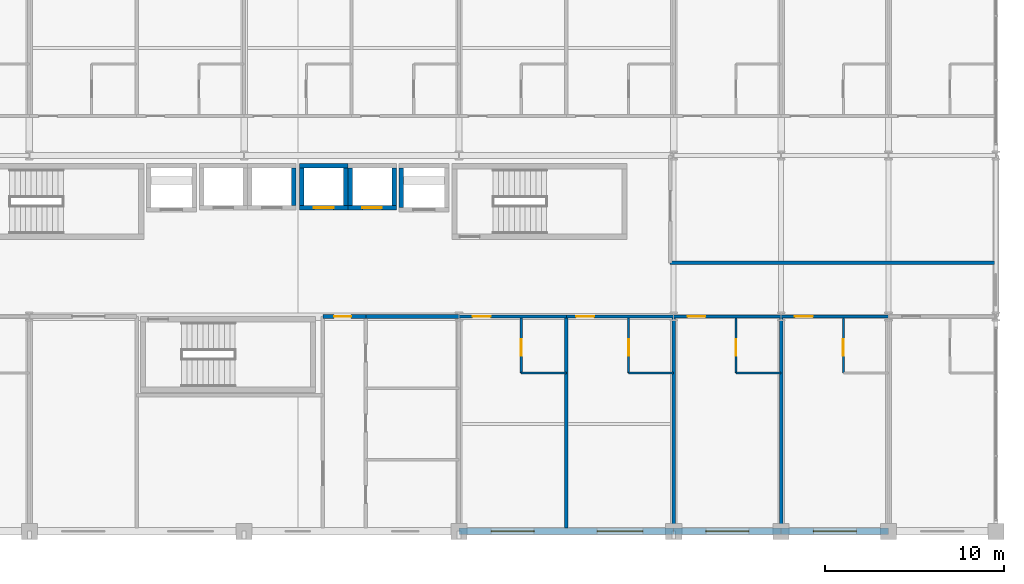
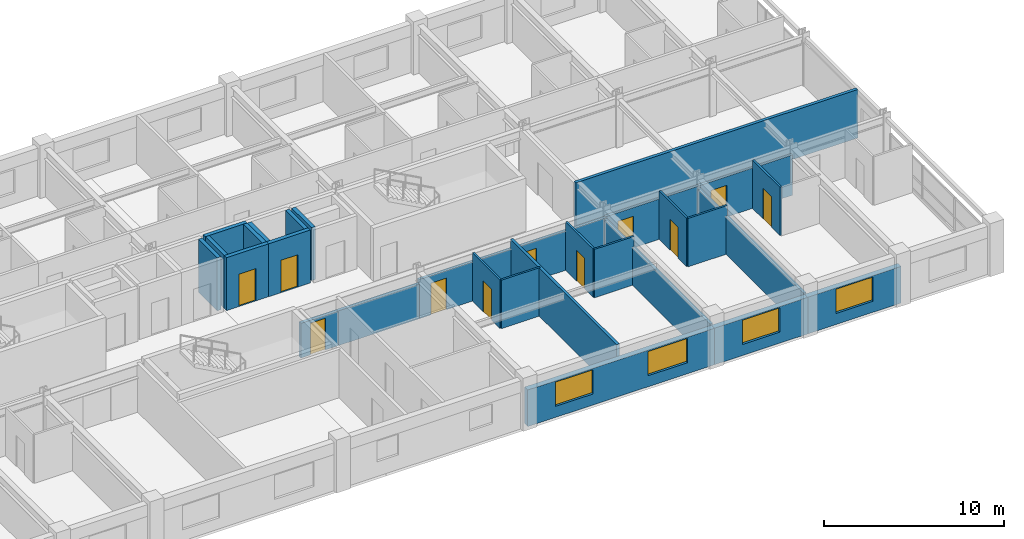
# One storey, part 18 of 22: 29 walls, 11 doors, 4 windows, 15 openings.
"""IFC4 building model written with IfcOpenShell, lengths in metres."""

from ifc_helpers import new_model, si_unit, direction, frame, frame_2d, origin, place, context, subcontext, project, spatial, rectangle, extrude, material, layer, layer_set, type_object, element, fill, save


model = new_model("IFC4")

# Units and contexts
model_context = context("Model", 3, precision=1e-05, world=origin(), true_north=direction((0.0, 1.0)))
body_context = subcontext(model_context, "Body", "Model", "MODEL_VIEW")
ifc_project = project(units=[si_unit("LENGTHUNIT", "METRE"), si_unit("AREAUNIT", "SQUARE_METRE"), si_unit("VOLUMEUNIT", "CUBIC_METRE"), si_unit("PLANEANGLEUNIT", "RADIAN"), si_unit("MASSUNIT", "GRAM", prefix="KILO")], contexts=[model_context])

# Site, building, storey
site_placement = place(None, origin())
site = spatial("IfcSite", under=ifc_project, at=site_placement, CompositionType="ELEMENT")
building_placement = place(site_placement, origin())
building = spatial("IfcBuilding", under=site, at=building_placement, Name="Kaldorvane Square Convention Centre", CompositionType="ELEMENT")
storey_placement = place(building_placement, frame((0.0, 0.0, 34.80000305175781)))
storey = spatial("IfcBuildingStorey", under=building, at=storey_placement, Name="L07", CompositionType="ELEMENT", Elevation=34.80000305175781)

# Wall, opening, door
ifc_material_1 = material(Name="Fire-Rated Gypsum Board on Acoustic Steel Studs", Category="steel")
ifc_layer_1 = layer(ifc_material_1, 0.125)
ifc_layer_set_1 = layer_set([ifc_layer_1], Name="Fire-Rated Gypsum Board on Acoustic Steel Studs")
wall_type_1 = type_object("IfcWallType", Name="WL-BATH-125", PredefinedType="PARTITIONING", material=ifc_layer_set_1)
wall_1_placement = place(storey_placement, frame((69.47999572753906, 92.85000610351562, 0.0), z_axis=(0.0, 0.0, 1.0), x_axis=(0.0, 1.0, 0.0)))
wall_1 = element("IfcWall", 1, at=wall_1_placement, inside=storey, type_object=wall_type_1, Name="En-Suite 716 West Wall", PredefinedType="PARTITIONING", context=body_context, shape_type="SweptSolid", body=[
    extrude(rectangle(XDim=3.05999755859375, YDim=0.125, at=frame_2d((1.529998779296875, 0.0))), origin(), (0.0, 0.0, 1.0), 3.2899932861328125),
])
opening_1_placement = place(wall_1_placement, frame((0.9499969482421875, 0.0, 0.0)))
opening_1 = element("IfcOpeningElement", 2, at=opening_1_placement, cuts=wall_1, Name="Opening ID-12", PredefinedType="OPENING", context=body_context, shape_type="SweptSolid", body=[
    extrude(rectangle(XDim=0.9199981689453125, YDim=2.100006103515625, at=frame_2d((0.459991455078125, 1.0500030517578125))), frame((0.0, 0.0774993896484375, 0.0), z_axis=(0.0, -1.0, 0.0), x_axis=(1.0, 0.0, 0.0)), (0.0, 0.0, 1.0), 0.154998779296875),
])
ifc_material_2 = material(Name="Architectural Solid-Core White Oak")
door_type_1 = type_object("IfcDoorType", Name="DR-BATH-0920X2100", OperationType="SINGLE_SWING_RIGHT", PredefinedType="DOOR", material=ifc_material_2)
door_1_placement = place(opening_1_placement, origin())
door_1 = element("IfcDoor", 3, at=door_1_placement, inside=storey, type_object=door_type_1, Name="En-Suite Bathroom 716 Door", OperationType="SINGLE_SWING_RIGHT", OverallHeight=2.100006103515625, OverallWidth=0.9199981689453125, PredefinedType="DOOR", context=body_context, shape_type="SweptSolid", body=[
    extrude(rectangle(XDim=0.9199981689453125, YDim=2.100006103515625, at=frame_2d((0.459991455078125, 1.0500030517578125))), frame((0.0, 0.024993896484375, 0.0), z_axis=(0.0, -1.0, 0.0), x_axis=(1.0, 0.0, 0.0)), (0.0, 0.0, 1.0), 0.0500030517578125),
])
fill(opening_1, door_1)

# Wall
wall_2_placement = place(storey_placement, frame((69.47999572753906, 92.85000610351562, 0.0), z_axis=(0.0, 0.0, 1.0), x_axis=(1.0, 0.0, 0.0)))
element("IfcWall", 4, at=wall_2_placement, inside=storey, type_object=wall_type_1, Name="En-Suite 716 South Wall", PredefinedType="PARTITIONING", context=body_context, shape_type="SweptSolid", body=[
    extrude(rectangle(XDim=2.5200042724609375, YDim=0.125, at=frame_2d((1.260009765625, 0.0))), origin(), (0.0, 0.0, 1.0), 3.2899932861328125),
])

# Wall, opening, door
wall_3_placement = place(storey_placement, frame((75.47999572753906, 92.85000610351562, 0.0), z_axis=(0.0, 0.0, 1.0), x_axis=(0.0, 1.0, 0.0)))
wall_3 = element("IfcWall", 5, at=wall_3_placement, inside=storey, type_object=wall_type_1, Name="En-Suite 717 West Wall", PredefinedType="PARTITIONING", context=body_context, shape_type="SweptSolid", body=[
    extrude(rectangle(XDim=3.05999755859375, YDim=0.125, at=frame_2d((1.529998779296875, 0.0))), origin(), (0.0, 0.0, 1.0), 3.2899932861328125),
])
opening_2_placement = place(wall_3_placement, frame((0.9499969482421875, 0.0, 0.0)))
opening_2 = element("IfcOpeningElement", 6, at=opening_2_placement, cuts=wall_3, Name="Opening ID-12", PredefinedType="OPENING", context=body_context, shape_type="SweptSolid", body=[
    extrude(rectangle(XDim=0.9199981689453125, YDim=2.100006103515625, at=frame_2d((0.459991455078125, 1.0500030517578125))), frame((0.0, 0.0774993896484375, 0.0), z_axis=(0.0, -1.0, 0.0), x_axis=(1.0, 0.0, 0.0)), (0.0, 0.0, 1.0), 0.154998779296875),
])
door_2_placement = place(opening_2_placement, origin())
door_2 = element("IfcDoor", 7, at=door_2_placement, inside=storey, type_object=door_type_1, Name="En-Suite Bathroom 717 Door", OperationType="SINGLE_SWING_RIGHT", OverallHeight=2.100006103515625, OverallWidth=0.9199981689453125, PredefinedType="DOOR", context=body_context, shape_type="SweptSolid", body=[
    extrude(rectangle(XDim=0.9199981689453125, YDim=2.100006103515625, at=frame_2d((0.459991455078125, 1.0500030517578125))), frame((0.0, 0.024993896484375, 0.0), z_axis=(0.0, -1.0, 0.0), x_axis=(1.0, 0.0, 0.0)), (0.0, 0.0, 1.0), 0.0500030517578125),
])
fill(opening_2, door_2)

# Wall
wall_4_placement = place(storey_placement, frame((75.47999572753906, 92.85000610351562, 0.0), z_axis=(0.0, 0.0, 1.0), x_axis=(1.0, 0.0, 0.0)))
element("IfcWall", 8, at=wall_4_placement, inside=storey, type_object=wall_type_1, Name="En-Suite 717 South Wall", PredefinedType="PARTITIONING", context=body_context, shape_type="SweptSolid", body=[
    extrude(rectangle(XDim=2.5200042724609375, YDim=0.125, at=frame_2d((1.260009765625, 0.0))), origin(), (0.0, 0.0, 1.0), 3.2899932861328125),
])

# Wall, opening, door
wall_5_placement = place(storey_placement, frame((81.47999572753906, 92.85000610351562, 0.0), z_axis=(0.0, 0.0, 1.0), x_axis=(0.0, 1.0, 0.0)))
wall_5 = element("IfcWall", 9, at=wall_5_placement, inside=storey, type_object=wall_type_1, Name="En-Suite 718 West Wall", PredefinedType="PARTITIONING", context=body_context, shape_type="SweptSolid", body=[
    extrude(rectangle(XDim=3.05999755859375, YDim=0.125, at=frame_2d((1.529998779296875, 0.0))), origin(), (0.0, 0.0, 1.0), 3.2899932861328125),
])
opening_3_placement = place(wall_5_placement, frame((0.9499969482421875, 0.0, 0.0)))
opening_3 = element("IfcOpeningElement", 10, at=opening_3_placement, cuts=wall_5, Name="Opening ID-12", PredefinedType="OPENING", context=body_context, shape_type="SweptSolid", body=[
    extrude(rectangle(XDim=0.9199981689453125, YDim=2.100006103515625, at=frame_2d((0.459991455078125, 1.0500030517578125))), frame((0.0, 0.0774993896484375, 0.0), z_axis=(0.0, -1.0, 0.0), x_axis=(1.0, 0.0, 0.0)), (0.0, 0.0, 1.0), 0.154998779296875),
])
door_3_placement = place(opening_3_placement, origin())
door_3 = element("IfcDoor", 11, at=door_3_placement, inside=storey, type_object=door_type_1, Name="En-Suite Bathroom 718 Door", OperationType="SINGLE_SWING_RIGHT", OverallHeight=2.100006103515625, OverallWidth=0.9199981689453125, PredefinedType="DOOR", context=body_context, shape_type="SweptSolid", body=[
    extrude(rectangle(XDim=0.9199981689453125, YDim=2.100006103515625, at=frame_2d((0.459991455078125, 1.0500030517578125))), frame((0.0, 0.024993896484375, 0.0), z_axis=(0.0, -1.0, 0.0), x_axis=(1.0, 0.0, 0.0)), (0.0, 0.0, 1.0), 0.0500030517578125),
])
fill(opening_3, door_3)

# Wall
wall_6_placement = place(storey_placement, frame((81.47999572753906, 92.85000610351562, 0.0), z_axis=(0.0, 0.0, 1.0), x_axis=(1.0, 0.0, 0.0)))
element("IfcWall", 12, at=wall_6_placement, inside=storey, type_object=wall_type_1, Name="En-Suite 718 South Wall", PredefinedType="PARTITIONING", context=body_context, shape_type="SweptSolid", body=[
    extrude(rectangle(XDim=2.5200042724609375, YDim=0.125, at=frame_2d((1.260009765625, 0.0))), origin(), (0.0, 0.0, 1.0), 3.2899932861328125),
])

# Wall, opening, door
wall_7_placement = place(storey_placement, frame((87.47999572753906, 92.85000610351562, 0.0), z_axis=(0.0, 0.0, 1.0), x_axis=(0.0, 1.0, 0.0)))
wall_7 = element("IfcWall", 13, at=wall_7_placement, inside=storey, type_object=wall_type_1, Name="En-Suite 719 West Wall", PredefinedType="PARTITIONING", context=body_context, shape_type="SweptSolid", body=[
    extrude(rectangle(XDim=3.05999755859375, YDim=0.125, at=frame_2d((1.529998779296875, 0.0))), origin(), (0.0, 0.0, 1.0), 3.2899932861328125),
])
opening_4_placement = place(wall_7_placement, frame((0.9499969482421875, 0.0, 0.0)))
opening_4 = element("IfcOpeningElement", 14, at=opening_4_placement, cuts=wall_7, Name="Opening ID-12", PredefinedType="OPENING", context=body_context, shape_type="SweptSolid", body=[
    extrude(rectangle(XDim=0.9199981689453125, YDim=2.100006103515625, at=frame_2d((0.459991455078125, 1.0500030517578125))), frame((0.0, 0.0774993896484375, 0.0), z_axis=(0.0, -1.0, 0.0), x_axis=(1.0, 0.0, 0.0)), (0.0, 0.0, 1.0), 0.154998779296875),
])
door_4_placement = place(opening_4_placement, origin())
door_4 = element("IfcDoor", 15, at=door_4_placement, inside=storey, type_object=door_type_1, Name="En-Suite Bathroom 719 Door", OperationType="SINGLE_SWING_RIGHT", OverallHeight=2.100006103515625, OverallWidth=0.9199981689453125, PredefinedType="DOOR", context=body_context, shape_type="SweptSolid", body=[
    extrude(rectangle(XDim=0.9199981689453125, YDim=2.100006103515625, at=frame_2d((0.459991455078125, 1.0500030517578125))), frame((0.0, 0.024993896484375, 0.0), z_axis=(0.0, -1.0, 0.0), x_axis=(1.0, 0.0, 0.0)), (0.0, 0.0, 1.0), 0.0500030517578125),
])
fill(opening_4, door_4)

ifc_layer_2 = layer(ifc_material_1, 0.1999969482421875)
ifc_layer_set_2 = layer_set([ifc_layer_2], Name="Fire-Rated Gypsum Board on Acoustic Steel Studs")
wall_type_2 = type_object("IfcWallType", Name="WL-CORR-200", PredefinedType="PARTITIONING", material=ifc_layer_set_2)
wall_8_placement = place(storey_placement, frame((58.399993896484375, 96.0, 0.0), z_axis=(0.0, 0.0, 1.0), x_axis=(1.0, 0.0, 0.0)))
wall_8 = element("IfcWall", 16, at=wall_8_placement, inside=storey, type_object=wall_type_2, Name="Restroom Vestibule Entry Header (L07)", PredefinedType="PARTITIONING", context=body_context, shape_type="SweptSolid", body=[
    extrude(rectangle(XDim=2.4000091552734375, YDim=0.1999969482421875, at=frame_2d((1.20001220703125, 0.0))), origin(), (0.0, 0.0, 1.0), 2.3589935302734375),
])
opening_5_placement = place(wall_8_placement, frame((0.625, 0.0, 0.0)))
opening_5 = element("IfcOpeningElement", 17, at=opening_5_placement, cuts=wall_8, Name="Opening ID-13", PredefinedType="OPENING", context=body_context, shape_type="SweptSolid", body=[
    extrude(rectangle(XDim=0.9499969482421875, YDim=2.149993896484375, at=frame_2d((0.475006103515625, 1.0749969482421875))), frame((0.0, 0.114990234375, 0.0), z_axis=(0.0, -1.0, 0.0), x_axis=(1.0, 0.0, 0.0)), (0.0, 0.0, 1.0), 0.2299957275390625),
])
door_type_2 = type_object("IfcDoorType", Name="DR-WC-0950X2150", OperationType="SINGLE_SWING_LEFT", PredefinedType="DOOR", material=ifc_material_2)
door_5_placement = place(opening_5_placement, origin())
door_5 = element("IfcDoor", 18, at=door_5_placement, inside=storey, type_object=door_type_2, Name="Restroom Vestibule Door (L07)", OperationType="SINGLE_SWING_LEFT", OverallHeight=2.149993896484375, OverallWidth=0.9499969482421875, PredefinedType="DOOR", context=body_context, shape_type="SweptSolid", body=[
    extrude(rectangle(XDim=0.9499969482421875, YDim=2.149993896484375, at=frame_2d((0.475006103515625, 1.0749969482421875))), frame((0.0, 0.024993896484375, 0.0), z_axis=(0.0, -1.0, 0.0), x_axis=(1.0, 0.0, 0.0)), (0.0, 0.0, 1.0), 0.0500030517578125),
])
fill(opening_5, door_5)

# Walls
wall_9_placement = place(storey_placement, frame((60.80000305175781, 96.0, 0.0), z_axis=(0.0, 0.0, 1.0), x_axis=(1.0, 0.0, 0.0)))
element("IfcWall", 19, at=wall_9_placement, inside=storey, type_object=wall_type_2, Name="Restroom North Wall (L07)", PredefinedType="PARTITIONING", context=body_context, shape_type="SweptSolid", body=[
    extrude(rectangle(XDim=5.1999969482421875, YDim=0.1999969482421875, at=frame_2d((2.600006103515625, 0.0))), origin(), (0.0, 0.0, 1.0), 2.3589935302734375),
])
wall_10_placement = place(storey_placement, frame((77.80000305175781, 99.0, 0.0), z_axis=(0.0, 0.0, 1.0), x_axis=(1.0, 0.0, 0.0)))
element("IfcWall", 20, at=wall_10_placement, inside=storey, type_object=wall_type_2, Name="East Square View Lounge (L07) S Wall", PredefinedType="PARTITIONING", context=body_context, shape_type="SweptSolid", body=[
    extrude(rectangle(XDim=18.114990234375, YDim=0.1999969482421875, at=frame_2d((9.0574951171875, 0.0))), origin(), (0.0, 0.0, 1.0), 3.2899932861328125),
])

# Wall, openings, windows
ifc_material_3 = material(Name="Concrete f'c = 42 MPa (Normalweight)", Category="concrete")
ifc_layer_3 = layer(ifc_material_3, 0.350006103515625)
ifc_layer_set_3 = layer_set([ifc_layer_3], Name="Concrete f'c = 42 MPa (Normalweight)")
wall_type_3 = type_object("IfcWallType", Name="WL-EXT-350", PredefinedType="STANDARD", material=ifc_layer_set_3)
wall_11_placement = place(storey_placement, frame((66.0, 84.0, 0.0), z_axis=(0.0, 0.0, 1.0), x_axis=(1.0, 0.0, 0.0)))
wall_11 = element("IfcWall", 21, at=wall_11_placement, inside=storey, type_object=wall_type_3, Name="Hotel S Brutalist Facade Wall (L07)", PredefinedType="STANDARD", context=body_context, shape_type="SweptSolid", body=[
    extrude(rectangle(XDim=12.0, YDim=0.350006103515625, at=frame_2d((6.0, 0.0))), origin(), (0.0, 0.0, 1.0), 2.485992431640625),
])
opening_6_placement = place(wall_11_placement, frame((1.8000030517578125, 0.0, 0.75)))
opening_6 = element("IfcOpeningElement", 22, at=opening_6_placement, cuts=wall_11, Name="Opening W-01", PredefinedType="OPENING", context=body_context, shape_type="SweptSolid", body=[
    extrude(rectangle(XDim=2.399993896484375, YDim=1.649993896484375, at=frame_2d((1.1999969482421875, 0.8249969482421875))), frame((0.0, 0.19000244140625, 0.0), z_axis=(0.0, -1.0, 0.0), x_axis=(1.0, 0.0, 0.0)), (0.0, 0.0, 1.0), 0.3800048828125),
])
opening_7_placement = place(wall_11_placement, frame((7.725006103515625, 0.0, 0.75)))
opening_7 = element("IfcOpeningElement", 23, at=opening_7_placement, cuts=wall_11, Name="Opening W-02", PredefinedType="OPENING", context=body_context, shape_type="SweptSolid", body=[
    extrude(rectangle(XDim=2.5500030517578125, YDim=1.649993896484375, at=frame_2d((1.274993896484375, 0.8249969482421875))), frame((0.0, 0.19000244140625, 0.0), z_axis=(0.0, -1.0, 0.0), x_axis=(1.0, 0.0, 0.0)), (0.0, 0.0, 1.0), 0.3800048828125),
])
ifc_material_4 = material(Name="Anodized Aluminum and Low-E Insulated Glazing", Category="aluminium")
window_type_1 = type_object("IfcWindowType", Name="WN-HTL-2400X1650", PartitioningType="DOUBLE_PANEL_VERTICAL", PredefinedType="WINDOW", material=ifc_material_4)
window_1_placement = place(opening_6_placement, origin())
window_1 = element("IfcWindow", 24, at=window_1_placement, inside=storey, type_object=window_type_1, Name="Hotel S Window (L07)", OverallHeight=1.649993896484375, OverallWidth=2.399993896484375, PartitioningType="DOUBLE_PANEL_VERTICAL", PredefinedType="WINDOW", context=body_context, shape_type="SweptSolid", body=[
    extrude(rectangle(XDim=2.399993896484375, YDim=1.649993896484375, at=frame_2d((1.1999969482421875, 0.8249969482421875))), frame((0.0, 0.029998779296875, 0.0), z_axis=(0.0, -1.0, 0.0), x_axis=(1.0, 0.0, 0.0)), (0.0, 0.0, 1.0), 0.05999755859375),
])
fill(opening_6, window_1)
window_type_2 = type_object("IfcWindowType", Name="WN-HTL-2550X1650", PartitioningType="DOUBLE_PANEL_VERTICAL", PredefinedType="WINDOW", material=ifc_material_4)
window_2_placement = place(opening_7_placement, origin())
window_2 = element("IfcWindow", 25, at=window_2_placement, inside=storey, type_object=window_type_2, Name="Hotel S Window (L07)", OverallHeight=1.649993896484375, OverallWidth=2.5500030517578125, PartitioningType="DOUBLE_PANEL_VERTICAL", PredefinedType="WINDOW", context=body_context, shape_type="SweptSolid", body=[
    extrude(rectangle(XDim=2.5500030517578125, YDim=1.649993896484375, at=frame_2d((1.274993896484375, 0.8249969482421875))), frame((0.0, 0.029998779296875, 0.0), z_axis=(0.0, -1.0, 0.0), x_axis=(1.0, 0.0, 0.0)), (0.0, 0.0, 1.0), 0.05999755859375),
])
fill(opening_7, window_2)

# Wall, opening, window
wall_12_placement = place(storey_placement, frame((78.0, 84.0, 0.0), z_axis=(0.0, 0.0, 1.0), x_axis=(1.0, 0.0, 0.0)))
wall_12 = element("IfcWall", 26, at=wall_12_placement, inside=storey, type_object=wall_type_3, Name="Hotel S Brutalist Facade Wall (L07)", PredefinedType="STANDARD", context=body_context, shape_type="SweptSolid", body=[
    extrude(rectangle(XDim=6.0, YDim=0.350006103515625, at=frame_2d((3.0, 0.0))), origin(), (0.0, 0.0, 1.0), 2.485992431640625),
])
opening_8_placement = place(wall_12_placement, frame((1.8000030517578125, 0.0, 0.75)))
opening_8 = element("IfcOpeningElement", 27, at=opening_8_placement, cuts=wall_12, Name="Opening W-01", PredefinedType="OPENING", context=body_context, shape_type="SweptSolid", body=[
    extrude(rectangle(XDim=2.399993896484375, YDim=1.649993896484375, at=frame_2d((1.1999969482421875, 0.8249969482421875))), frame((0.0, 0.19000244140625, 0.0), z_axis=(0.0, -1.0, 0.0), x_axis=(1.0, 0.0, 0.0)), (0.0, 0.0, 1.0), 0.3800048828125),
])
window_3_placement = place(opening_8_placement, origin())
window_3 = element("IfcWindow", 28, at=window_3_placement, inside=storey, type_object=window_type_1, Name="Hotel S Window (L07)", OverallHeight=1.649993896484375, OverallWidth=2.399993896484375, PartitioningType="DOUBLE_PANEL_VERTICAL", PredefinedType="WINDOW", context=body_context, shape_type="SweptSolid", body=[
    extrude(rectangle(XDim=2.399993896484375, YDim=1.649993896484375, at=frame_2d((1.1999969482421875, 0.8249969482421875))), frame((0.0, 0.029998779296875, 0.0), z_axis=(0.0, -1.0, 0.0), x_axis=(1.0, 0.0, 0.0)), (0.0, 0.0, 1.0), 0.05999755859375),
])
fill(opening_8, window_3)

wall_13_placement = place(storey_placement, frame((84.0, 84.0, 0.0), z_axis=(0.0, 0.0, 1.0), x_axis=(1.0, 0.0, 0.0)))
wall_13 = element("IfcWall", 29, at=wall_13_placement, inside=storey, type_object=wall_type_3, Name="Hotel S Brutalist Facade Wall (L07)", PredefinedType="STANDARD", context=body_context, shape_type="SweptSolid", body=[
    extrude(rectangle(XDim=6.0, YDim=0.350006103515625, at=frame_2d((3.0, 0.0))), origin(), (0.0, 0.0, 1.0), 2.485992431640625),
])
opening_9_placement = place(wall_13_placement, frame((1.8000030517578125, 0.0, 0.75)))
opening_9 = element("IfcOpeningElement", 30, at=opening_9_placement, cuts=wall_13, Name="Opening W-01", PredefinedType="OPENING", context=body_context, shape_type="SweptSolid", body=[
    extrude(rectangle(XDim=2.399993896484375, YDim=1.649993896484375, at=frame_2d((1.1999969482421875, 0.8249969482421875))), frame((0.0, 0.19000244140625, 0.0), z_axis=(0.0, -1.0, 0.0), x_axis=(1.0, 0.0, 0.0)), (0.0, 0.0, 1.0), 0.3800048828125),
])
window_4_placement = place(opening_9_placement, origin())
window_4 = element("IfcWindow", 31, at=window_4_placement, inside=storey, type_object=window_type_1, Name="Hotel S Window (L07)", OverallHeight=1.649993896484375, OverallWidth=2.399993896484375, PartitioningType="DOUBLE_PANEL_VERTICAL", PredefinedType="WINDOW", context=body_context, shape_type="SweptSolid", body=[
    extrude(rectangle(XDim=2.399993896484375, YDim=1.649993896484375, at=frame_2d((1.1999969482421875, 0.8249969482421875))), frame((0.0, 0.029998779296875, 0.0), z_axis=(0.0, -1.0, 0.0), x_axis=(1.0, 0.0, 0.0)), (0.0, 0.0, 1.0), 0.05999755859375),
])
fill(opening_9, window_4)

# Walls
ifc_material_5 = material(Name="Concrete f'c = 55 MPa (Normalweight)", Category="concrete")
ifc_layer_4 = layer(ifc_material_5, 0.3000030517578125)
ifc_layer_set_4 = layer_set([ifc_layer_4], Name="Concrete f'c = 55 MPa (Normalweight)")
wall_type_4 = type_object("IfcWallType", Name="WL-SHAFT-300", PredefinedType="SHEAR", material=ifc_layer_set_4)
wall_14_placement = place(storey_placement, frame((62.774993896484375, 104.30000305175781, 0.0), z_axis=(0.0, 0.0, 1.0), x_axis=(0.0, -1.0, 0.0)))
element("IfcWall", 32, at=wall_14_placement, inside=storey, type_object=wall_type_4, Name="Core Enclosure Wall lift:FSAE-02-W (L07)", PredefinedType="SHEAR", context=body_context, shape_type="SweptSolid", body=[
    extrude(rectangle(XDim=2.1999969482421875, YDim=0.25, at=frame_2d((1.100006103515625, 0.0))), origin(), (0.0, 0.0, 1.0), 3.5999908447265625),
])
wall_15_placement = place(storey_placement, frame((56.774993896484375, 102.19999694824219, 0.0), z_axis=(0.0, 0.0, 1.0), x_axis=(0.0, 1.0, 0.0)))
element("IfcWall", 33, at=wall_15_placement, inside=storey, type_object=wall_type_4, Name="Core Enclosure Wall lift:EL-P2-E (L07)", PredefinedType="SHEAR", context=body_context, shape_type="SweptSolid", body=[
    extrude(rectangle(XDim=2.100006103515625, YDim=0.25, at=frame_2d((1.0500030517578125, 0.0))), origin(), (0.0, 0.0, 1.0), 3.5999908447265625),
])

# Wall, opening, door
wall_16_placement = place(storey_placement, frame((57.100006103515625, 102.07499694824219, 0.0), z_axis=(0.0, 0.0, 1.0), x_axis=(1.0, 0.0, 0.0)))
wall_16 = element("IfcWall", 34, at=wall_16_placement, inside=storey, type_object=wall_type_4, Name="Core Enclosure Wall lift:EL-P3-S (L07)", PredefinedType="SHEAR", context=body_context, shape_type="SweptSolid", body=[
    extrude(rectangle(XDim=2.6999969482421875, YDim=0.25, at=frame_2d((1.350006103515625, 0.0))), origin(), (0.0, 0.0, 1.0), 3.5999908447265625),
])
opening_10_placement = place(wall_16_placement, frame((0.8000030517578125, 0.0, 0.0)))
opening_10 = element("IfcOpeningElement", 35, at=opening_10_placement, cuts=wall_16, Name="Opening LD-01", PredefinedType="OPENING", context=body_context, shape_type="SweptSolid", body=[
    extrude(rectangle(XDim=1.100006103515625, YDim=2.1999969482421875, at=frame_2d((0.5500030517578125, 1.100006103515625))), frame((0.0, 0.1399993896484375, 0.0), z_axis=(0.0, -1.0, 0.0), x_axis=(1.0, 0.0, 0.0)), (0.0, 0.0, 1.0), 0.279998779296875),
])
ifc_material_6 = material(Name="Stainless Steel Elevator Door Assembly", Category="steel")
door_type_3 = type_object("IfcDoorType", Name="DR-LIFT-1100", OperationType="DOUBLE_DOOR_SLIDING", PredefinedType="DOOR", material=ifc_material_6)
door_6_placement = place(opening_10_placement, origin())
door_6 = element("IfcDoor", 36, at=door_6_placement, inside=storey, type_object=door_type_3, Name="Elevator Landing Door EL-P3 (L07)", OperationType="DOUBLE_DOOR_SLIDING", OverallHeight=2.1999969482421875, OverallWidth=1.100006103515625, PredefinedType="DOOR", context=body_context, shape_type="SweptSolid", body=[
    extrude(rectangle(XDim=1.100006103515625, YDim=2.1999969482421875, at=frame_2d((0.5500030517578125, 1.100006103515625))), frame((0.0, 0.024993896484375, 0.0), z_axis=(0.0, -1.0, 0.0), x_axis=(1.0, 0.0, 0.0)), (0.0, 0.0, 1.0), 0.0500030517578125),
])
fill(opening_10, door_6)

# Walls
wall_17_placement = place(storey_placement, frame((59.80000305175781, 104.42500305175781, 0.0), z_axis=(0.0, 0.0, 1.0), x_axis=(-1.0, 0.0, 0.0)))
element("IfcWall", 37, at=wall_17_placement, inside=storey, type_object=wall_type_4, Name="Core Enclosure Wall lift:EL-P3-N (L07)", PredefinedType="SHEAR", context=body_context, shape_type="SweptSolid", body=[
    extrude(rectangle(XDim=2.6999969482421875, YDim=0.25, at=frame_2d((1.350006103515625, 0.0))), origin(), (0.0, 0.0, 1.0), 3.5999908447265625),
])
for number, where, z_axis, x_axis, name in (
    (38, (57.225006103515625, 104.30000305175781, 0.0), (0.0, 0.0, 1.0), (0.0, -1.0, 0.0), "Core Enclosure Wall lift:EL-P3-W (L07)"),
    (39, (59.67500305175781, 102.19999694824219, 0.0), (0.0, 0.0, 1.0), (0.0, 1.0, 0.0), "Core Enclosure Wall lift:EL-P3-E (L07)"),
):
    element("IfcWall", number, at=place(storey_placement, frame(where, z_axis=z_axis, x_axis=x_axis)), inside=storey, type_object=wall_type_4, Name=name, PredefinedType="SHEAR", context=body_context, shape_type="SweptSolid", body=[
        extrude(rectangle(XDim=2.100006103515625, YDim=0.25, at=frame_2d((1.0500030517578125, 0.0))), origin(), (0.0, 0.0, 1.0), 3.5999908447265625),
    ])

# Wall, opening, door
wall_18_placement = place(storey_placement, frame((59.80000305175781, 102.07499694824219, 0.0), z_axis=(0.0, 0.0, 1.0), x_axis=(1.0, 0.0, 0.0)))
wall_18 = element("IfcWall", 40, at=wall_18_placement, inside=storey, type_object=wall_type_4, Name="Core Enclosure Wall lift:EL-P4-S (L07)", PredefinedType="SHEAR", context=body_context, shape_type="SweptSolid", body=[
    extrude(rectangle(XDim=2.6999969482421875, YDim=0.25, at=frame_2d((1.350006103515625, 0.0))), origin(), (0.0, 0.0, 1.0), 3.5999908447265625),
])
opening_11_placement = place(wall_18_placement, frame((0.8000030517578125, 0.0, 0.0)))
opening_11 = element("IfcOpeningElement", 41, at=opening_11_placement, cuts=wall_18, Name="Opening LD-01", PredefinedType="OPENING", context=body_context, shape_type="SweptSolid", body=[
    extrude(rectangle(XDim=1.100006103515625, YDim=2.1999969482421875, at=frame_2d((0.5500030517578125, 1.100006103515625))), frame((0.0, 0.1399993896484375, 0.0), z_axis=(0.0, -1.0, 0.0), x_axis=(1.0, 0.0, 0.0)), (0.0, 0.0, 1.0), 0.279998779296875),
])
door_7_placement = place(opening_11_placement, origin())
door_7 = element("IfcDoor", 42, at=door_7_placement, inside=storey, type_object=door_type_3, Name="Elevator Landing Door EL-P4 (L07)", OperationType="DOUBLE_DOOR_SLIDING", OverallHeight=2.1999969482421875, OverallWidth=1.100006103515625, PredefinedType="DOOR", context=body_context, shape_type="SweptSolid", body=[
    extrude(rectangle(XDim=1.100006103515625, YDim=2.1999969482421875, at=frame_2d((0.5500030517578125, 1.100006103515625))), frame((0.0, 0.024993896484375, 0.0), z_axis=(0.0, -1.0, 0.0), x_axis=(1.0, 0.0, 0.0)), (0.0, 0.0, 1.0), 0.0500030517578125),
])
fill(opening_11, door_7)

# Walls
for number, where, z_axis, x_axis, name in (
    (43, (59.92500305175781, 104.30000305175781, 0.0), (0.0, 0.0, 1.0), (0.0, -1.0, 0.0), "Core Enclosure Wall lift:EL-P4-W (L07)"),
    (44, (62.375, 102.19999694824219, 0.0), (0.0, 0.0, 1.0), (0.0, 1.0, 0.0), "Core Enclosure Wall lift:EL-P4-E (L07)"),
):
    element("IfcWall", number, at=place(storey_placement, frame(where, z_axis=z_axis, x_axis=x_axis)), inside=storey, type_object=wall_type_4, Name=name, PredefinedType="SHEAR", context=body_context, shape_type="SweptSolid", body=[
        extrude(rectangle(XDim=2.100006103515625, YDim=0.25, at=frame_2d((1.0500030517578125, 0.0))), origin(), (0.0, 0.0, 1.0), 3.5999908447265625),
    ])

# Wall, opening, door
ifc_layer_5 = layer(ifc_material_1, 0.17999267578125)
ifc_layer_set_5 = layer_set([ifc_layer_5], Name="Fire-Rated Gypsum Board on Acoustic Steel Studs")
wall_type_5 = type_object("IfcWallType", Name="WL-UNIT-180", PredefinedType="PARTITIONING", material=ifc_layer_set_5)
wall_19_placement = place(storey_placement, frame((66.0, 96.0, 0.0), z_axis=(0.0, 0.0, 1.0), x_axis=(1.0, 0.0, 0.0)))
wall_19 = element("IfcWall", 45, at=wall_19_placement, inside=storey, type_object=wall_type_5, Name="Hotel Guest Room 716 Corridor Wall", PredefinedType="PARTITIONING", context=body_context, shape_type="SweptSolid", body=[
    extrude(rectangle(XDim=6.0, YDim=0.17999267578125, at=frame_2d((3.0, 0.0))), origin(), (0.0, 0.0, 1.0), 2.66400146484375),
])
opening_12_placement = place(wall_19_placement, frame((0.7700042724609375, 0.0, 0.0)))
opening_12 = element("IfcOpeningElement", 46, at=opening_12_placement, cuts=wall_19, Name="Opening ID-10", PredefinedType="OPENING", context=body_context, shape_type="SweptSolid", body=[
    extrude(rectangle(XDim=1.0, YDim=2.149993896484375, at=frame_2d((0.5, 1.0749969482421875))), frame((0.0, 0.1049957275390625, 0.0), z_axis=(0.0, -1.0, 0.0), x_axis=(1.0, 0.0, 0.0)), (0.0, 0.0, 1.0), 0.209991455078125),
])
door_type_4 = type_object("IfcDoorType", Name="DR-GUEST-1000X2150", OperationType="SINGLE_SWING_LEFT", PredefinedType="DOOR", material=ifc_material_2)
door_8_placement = place(opening_12_placement, origin())
door_8 = element("IfcDoor", 47, at=door_8_placement, inside=storey, type_object=door_type_4, Name="Hotel Guest Room 716 Entry Door", OperationType="SINGLE_SWING_LEFT", OverallHeight=2.149993896484375, OverallWidth=1.0, PredefinedType="DOOR", context=body_context, shape_type="SweptSolid", body=[
    extrude(rectangle(XDim=1.0, YDim=2.149993896484375, at=frame_2d((0.5, 1.0749969482421875))), frame((0.0, 0.024993896484375, 0.0), z_axis=(0.0, -1.0, 0.0), x_axis=(1.0, 0.0, 0.0)), (0.0, 0.0, 1.0), 0.0500030517578125),
])
fill(opening_12, door_8)

# Wall
wall_20_placement = place(storey_placement, frame((72.0, 84.17500305175781, 0.0), z_axis=(0.0, 0.0, 1.0), x_axis=(0.0, 1.0, 0.0)))
element("IfcWall", 48, at=wall_20_placement, inside=storey, type_object=wall_type_5, Name="Guestroom Demising Wall 716", PredefinedType="PARTITIONING", context=body_context, shape_type="SweptSolid", body=[
    extrude(rectangle(XDim=11.824996948242188, YDim=0.17999267578125, at=frame_2d((5.912506103515625, 0.0))), origin(), (0.0, 0.0, 1.0), 3.2899932861328125),
])

# Wall, opening, door
wall_21_placement = place(storey_placement, frame((72.0, 96.0, 0.0), z_axis=(0.0, 0.0, 1.0), x_axis=(1.0, 0.0, 0.0)))
wall_21 = element("IfcWall", 49, at=wall_21_placement, inside=storey, type_object=wall_type_5, Name="Hotel Guest Room 717 Corridor Wall", PredefinedType="PARTITIONING", context=body_context, shape_type="SweptSolid", body=[
    extrude(rectangle(XDim=6.0, YDim=0.17999267578125, at=frame_2d((3.0, 0.0))), origin(), (0.0, 0.0, 1.0), 2.66400146484375),
])
opening_13_placement = place(wall_21_placement, frame((0.5500030517578125, 0.0, 0.0)))
opening_13 = element("IfcOpeningElement", 50, at=opening_13_placement, cuts=wall_21, Name="Opening ID-10", PredefinedType="OPENING", context=body_context, shape_type="SweptSolid", body=[
    extrude(rectangle(XDim=1.0, YDim=2.149993896484375, at=frame_2d((0.5, 1.0749969482421875))), frame((0.0, 0.1049957275390625, 0.0), z_axis=(0.0, -1.0, 0.0), x_axis=(1.0, 0.0, 0.0)), (0.0, 0.0, 1.0), 0.209991455078125),
])
door_9_placement = place(opening_13_placement, origin())
door_9 = element("IfcDoor", 51, at=door_9_placement, inside=storey, type_object=door_type_4, Name="Hotel Guest Room 717 Entry Door", OperationType="SINGLE_SWING_LEFT", OverallHeight=2.149993896484375, OverallWidth=1.0, PredefinedType="DOOR", context=body_context, shape_type="SweptSolid", body=[
    extrude(rectangle(XDim=1.0, YDim=2.149993896484375, at=frame_2d((0.5, 1.0749969482421875))), frame((0.0, 0.024993896484375, 0.0), z_axis=(0.0, -1.0, 0.0), x_axis=(1.0, 0.0, 0.0)), (0.0, 0.0, 1.0), 0.0500030517578125),
])
fill(opening_13, door_9)

# Wall
wall_22_placement = place(storey_placement, frame((78.0, 84.17500305175781, 0.0), z_axis=(0.0, 0.0, 1.0), x_axis=(0.0, 1.0, 0.0)))
element("IfcWall", 52, at=wall_22_placement, inside=storey, type_object=wall_type_5, Name="Guestroom Demising Wall 717", PredefinedType="PARTITIONING", context=body_context, shape_type="SweptSolid", body=[
    extrude(rectangle(XDim=11.824996948242188, YDim=0.17999267578125, at=frame_2d((5.912506103515625, 0.0))), origin(), (0.0, 0.0, 1.0), 2.589996337890625),
])

# Wall, opening, door
wall_23_placement = place(storey_placement, frame((78.0, 96.0, 0.0), z_axis=(0.0, 0.0, 1.0), x_axis=(1.0, 0.0, 0.0)))
wall_23 = element("IfcWall", 53, at=wall_23_placement, inside=storey, type_object=wall_type_5, Name="Hotel Guest Room 718 Corridor Wall", PredefinedType="PARTITIONING", context=body_context, shape_type="SweptSolid", body=[
    extrude(rectangle(XDim=6.0, YDim=0.17999267578125, at=frame_2d((3.0, 0.0))), origin(), (0.0, 0.0, 1.0), 2.735992431640625),
])
opening_14_placement = place(wall_23_placement, frame((0.7700042724609375, 0.0, 0.0)))
opening_14 = element("IfcOpeningElement", 54, at=opening_14_placement, cuts=wall_23, Name="Opening ID-10", PredefinedType="OPENING", context=body_context, shape_type="SweptSolid", body=[
    extrude(rectangle(XDim=1.0, YDim=2.149993896484375, at=frame_2d((0.5, 1.0749969482421875))), frame((0.0, 0.1049957275390625, 0.0), z_axis=(0.0, -1.0, 0.0), x_axis=(1.0, 0.0, 0.0)), (0.0, 0.0, 1.0), 0.209991455078125),
])
door_10_placement = place(opening_14_placement, origin())
door_10 = element("IfcDoor", 55, at=door_10_placement, inside=storey, type_object=door_type_4, Name="Hotel Guest Room 718 Entry Door", OperationType="SINGLE_SWING_LEFT", OverallHeight=2.149993896484375, OverallWidth=1.0, PredefinedType="DOOR", context=body_context, shape_type="SweptSolid", body=[
    extrude(rectangle(XDim=1.0, YDim=2.149993896484375, at=frame_2d((0.5, 1.0749969482421875))), frame((0.0, 0.024993896484375, 0.0), z_axis=(0.0, -1.0, 0.0), x_axis=(1.0, 0.0, 0.0)), (0.0, 0.0, 1.0), 0.0500030517578125),
])
fill(opening_14, door_10)

# Wall
wall_24_placement = place(storey_placement, frame((84.0, 84.17500305175781, 0.0), z_axis=(0.0, 0.0, 1.0), x_axis=(0.0, 1.0, 0.0)))
element("IfcWall", 56, at=wall_24_placement, inside=storey, type_object=wall_type_5, Name="Guestroom Demising Wall 718", PredefinedType="PARTITIONING", context=body_context, shape_type="SweptSolid", body=[
    extrude(rectangle(XDim=11.824996948242188, YDim=0.17999267578125, at=frame_2d((5.912506103515625, 0.0))), origin(), (0.0, 0.0, 1.0), 2.589996337890625),
])

# Wall, opening, door
wall_25_placement = place(storey_placement, frame((84.0, 96.0, 0.0), z_axis=(0.0, 0.0, 1.0), x_axis=(1.0, 0.0, 0.0)))
wall_25 = element("IfcWall", 57, at=wall_25_placement, inside=storey, type_object=wall_type_5, Name="Hotel Guest Room 719 Corridor Wall", PredefinedType="PARTITIONING", context=body_context, shape_type="SweptSolid", body=[
    extrude(rectangle(XDim=6.0, YDim=0.17999267578125, at=frame_2d((3.0, 0.0))), origin(), (0.0, 0.0, 1.0), 2.735992431640625),
])
opening_15_placement = place(wall_25_placement, frame((0.7700042724609375, 0.0, 0.0)))
opening_15 = element("IfcOpeningElement", 58, at=opening_15_placement, cuts=wall_25, Name="Opening ID-10", PredefinedType="OPENING", context=body_context, shape_type="SweptSolid", body=[
    extrude(rectangle(XDim=1.0, YDim=2.149993896484375, at=frame_2d((0.5, 1.0749969482421875))), frame((0.0, 0.1049957275390625, 0.0), z_axis=(0.0, -1.0, 0.0), x_axis=(1.0, 0.0, 0.0)), (0.0, 0.0, 1.0), 0.209991455078125),
])
door_11_placement = place(opening_15_placement, origin())
door_11 = element("IfcDoor", 59, at=door_11_placement, inside=storey, type_object=door_type_4, Name="Hotel Guest Room 719 Entry Door", OperationType="SINGLE_SWING_LEFT", OverallHeight=2.149993896484375, OverallWidth=1.0, PredefinedType="DOOR", context=body_context, shape_type="SweptSolid", body=[
    extrude(rectangle(XDim=1.0, YDim=2.149993896484375, at=frame_2d((0.5, 1.0749969482421875))), frame((0.0, 0.024993896484375, 0.0), z_axis=(0.0, -1.0, 0.0), x_axis=(1.0, 0.0, 0.0)), (0.0, 0.0, 1.0), 0.0500030517578125),
])
fill(opening_15, door_11)

save(model, "model.ifc")
